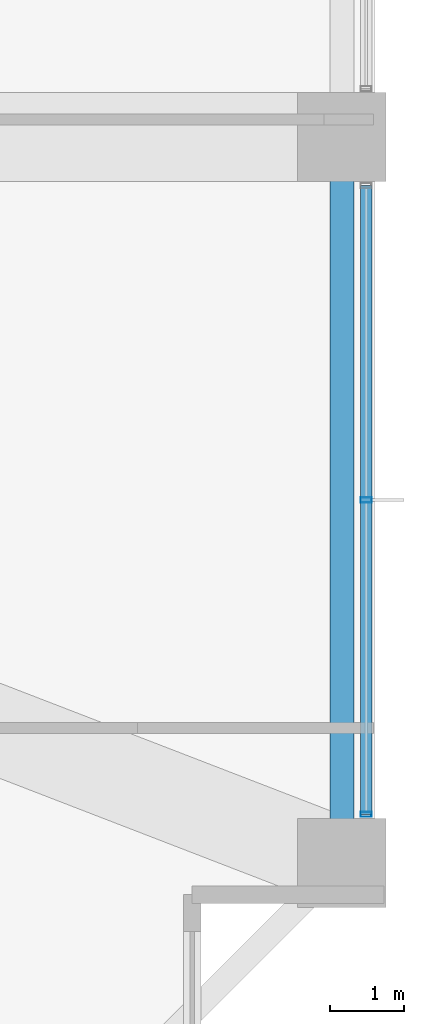
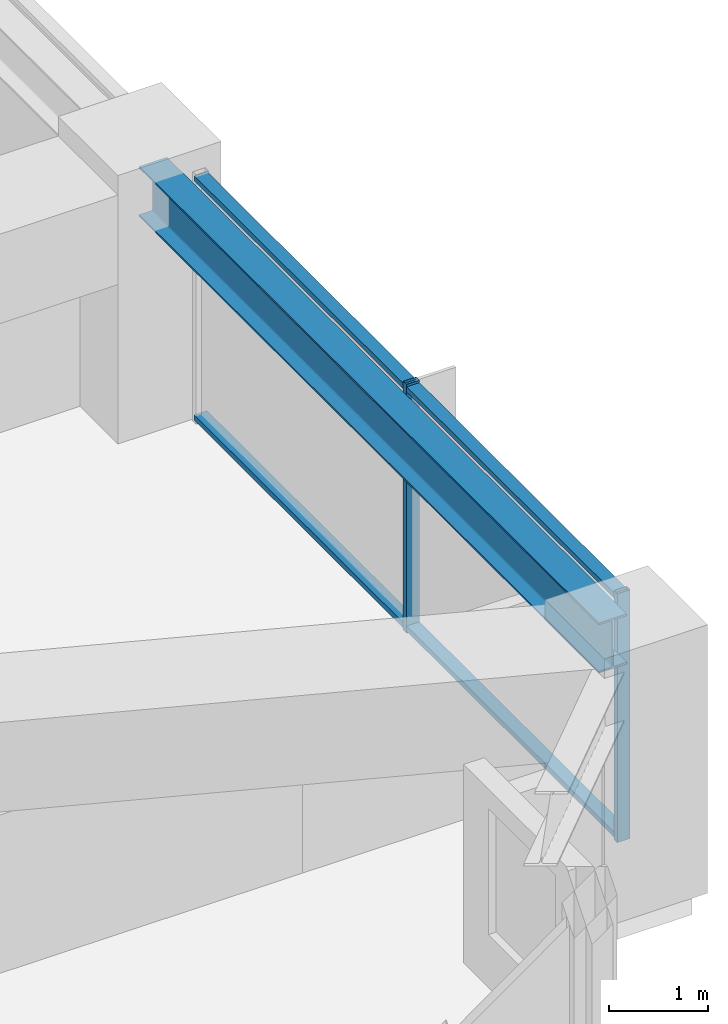
# One storey, part 13 of 37: 4 members, 1 beam, 1 element without a shape of its own.
"""IFC4 building model written with IfcOpenShell, lengths in metres."""

from ifc_helpers import new_model, si_unit, direction, frame, origin, origin_2d, place, context, subcontext, project, spatial, hollow_rectangle, i_section, extrude, material, material_profile, profile_set, type_object, element, aggregate, save


model = new_model("IFC4")

# Units and contexts
model_context = context("Model", 3, precision=1e-05, world=origin(), true_north=direction((0.0, 1.0)))
body_context = subcontext(model_context, "Body", "Model", "MODEL_VIEW")
ifc_project = project(units=[si_unit("LENGTHUNIT", "METRE"), si_unit("AREAUNIT", "SQUARE_METRE"), si_unit("VOLUMEUNIT", "CUBIC_METRE"), si_unit("PLANEANGLEUNIT", "RADIAN"), si_unit("MASSUNIT", "GRAM", prefix="KILO")], contexts=[model_context])

# Site, building, storey
site_placement = place(None, origin())
site = spatial("IfcSite", under=ifc_project, at=site_placement, CompositionType="ELEMENT")
building_placement = place(site_placement, origin())
building = spatial("IfcBuilding", under=site, at=building_placement, Name="Kolvaren Belvedere", CompositionType="ELEMENT")
storey_placement = place(building_placement, frame((0.0, 0.0, 37.0)))
storey = spatial("IfcBuildingStorey", under=building, at=storey_placement, Name="L10", CompositionType="ELEMENT", Elevation=37.0)

# Beam
ifc_material_1 = material(Name="Structural steel ASTM A992 Grade 50", Category="steel")
ifc_material_profile_1 = material_profile(ifc_material_1, i_section(OverallWidth=0.324951171875, OverallDepth=0.615966796875, WebThickness=0.013916015625, FlangeThickness=0.021484375, FilletRadius=0.02001953125, at=origin_2d()), Name="W24X117")
ifc_profile_set_1 = profile_set([ifc_material_profile_1], Name="Structural steel ASTM A992 Grade 50")
beam_type = type_object("IfcBeamType", Name="BM-SPAN-W24X117", PredefinedType="SPANDREL", material=ifc_profile_set_1)
beam_placement = place(storey_placement, frame((21.550048828125, -14.1298828125, 2.751953125), z_axis=(0.0, 1.0, 0.0), x_axis=(-1.0, 0.0, 0.0)))
element("IfcBeam", 1, at=beam_placement, inside=storey, type_object=beam_type, Name="L10 Perimeter Spandrel E1-E2", PredefinedType="SPANDREL", context=body_context, shape_type="SweptSolid", body=[
    extrude(i_section(OverallWidth=0.324951171875, OverallDepth=0.615966796875, WebThickness=0.013916015625, FlangeThickness=0.021484375, FilletRadius=0.02001953125, at=origin_2d()), origin(), (0.0, 0.0, 1.0), 9.259765625),
])

# Curtain wall, members
ifc_material_2 = material(Name="Anodised pale-metal aluminium AA 6063-T6", Category="aluminium")
curtain_wall_type = type_object("IfcCurtainWallType", Name="CW-Z1-LOW", PredefinedType="NOTDEFINED", material=ifc_material_2)
curtain_wall_placement = place(storey_placement, origin())
curtain_wall = element("IfcCurtainWall", 2, at=curtain_wall_placement, inside=storey, type_object=curtain_wall_type, Name="L10 Unitised Curtain Wall FCW-L10-E-B3", PredefinedType="NOTDEFINED")
ifc_material_3 = material(Name="Anodised pale-metal aluminium AA 6063-T6", Category="aluminium")
ifc_material_profile_2 = material_profile(ifc_material_3, hollow_rectangle(XDim=0.070068359375, YDim=0.14990234375, WallThickness=0.004150390625, at=origin_2d()), Name="ALU-MUL-150X70")
ifc_profile_set_2 = profile_set([ifc_material_profile_2], Name="Anodised pale-metal aluminium AA 6063-T6")
member_type_1 = type_object("IfcMemberType", Name="CW-MUL-150", PredefinedType="MULLION", material=ifc_profile_set_2)
member_1_placement = place(storey_placement, frame((21.8798828125, -9.5, 0.0), z_axis=(0.0, 0.0, 1.0), x_axis=(0.0, 1.0, 0.0)))
member_1 = element("IfcMember", 3, at=member_1_placement, type_object=member_type_1, Name="FCW-L10-E-B3 Unitised Mullion 2", PredefinedType="MULLION", context=body_context, shape_type="SweptSolid", body=[
    extrude(hollow_rectangle(XDim=0.070068359375, YDim=0.14990234375, WallThickness=0.004150390625, at=origin_2d()), origin(), (0.0, 0.0, 1.0), 3.06005859375),
])
member_2_placement = place(storey_placement, frame((21.8798828125, -13.7451171875, 0.0), z_axis=(0.0, 0.0, 1.0), x_axis=(0.0, 1.0, 0.0)))
member_2 = element("IfcMember", 4, at=member_2_placement, type_object=member_type_1, Name="FCW-L10-E-B3 Unitised Mullion 3", PredefinedType="MULLION", context=body_context, shape_type="SweptSolid", body=[
    extrude(hollow_rectangle(XDim=0.070068359375, YDim=0.14990234375, WallThickness=0.004150390625, at=origin_2d()), origin(), (0.0, 0.0, 1.0), 3.06005859375),
])
ifc_material_4 = material(Name="Anodised pale-metal aluminium AA 6063-T6", Category="aluminium")
ifc_material_profile_3 = material_profile(ifc_material_4, hollow_rectangle(XDim=0.06494140625, YDim=0.14990234375, WallThickness=0.00390625, at=origin_2d()), Name="ALU-TRN-150X65")
ifc_profile_set_3 = profile_set([ifc_material_profile_3], Name="Anodised pale-metal aluminium AA 6063-T6")
member_type_2 = type_object("IfcMemberType", Name="CW-TRN-150", PredefinedType="USERDEFINED", material=ifc_profile_set_3)
member_3_placement = place(storey_placement, frame((21.8798828125, -5.2548828125, 0.06005859375), z_axis=(0.0, -1.0, 0.0), x_axis=(0.0, 0.0, 1.0)))
member_3 = element("IfcMember", 5, at=member_3_placement, type_object=member_type_2, Name="FCW-L10-E-B3 Sill Transom", ObjectType="TRANSOM", PredefinedType="USERDEFINED", context=body_context, shape_type="SweptSolid", body=[
    extrude(hollow_rectangle(XDim=0.06494140625, YDim=0.14990234375, WallThickness=0.00390625, at=origin_2d()), origin(), (0.0, 0.0, 1.0), 8.490234375),
])
member_4_placement = place(storey_placement, frame((21.8798828125, -5.2548828125, 3.0), z_axis=(0.0, -1.0, 0.0), x_axis=(0.0, 0.0, 1.0)))
member_4 = element("IfcMember", 6, at=member_4_placement, type_object=member_type_2, Name="FCW-L10-E-B3 Head Transom", ObjectType="TRANSOM", PredefinedType="USERDEFINED", context=body_context, shape_type="SweptSolid", body=[
    extrude(hollow_rectangle(XDim=0.06494140625, YDim=0.14990234375, WallThickness=0.00390625, at=origin_2d()), origin(), (0.0, 0.0, 1.0), 8.490234375),
])
aggregate(curtain_wall, [member_1, member_2, member_3, member_4])

save(model, "model.ifc")
